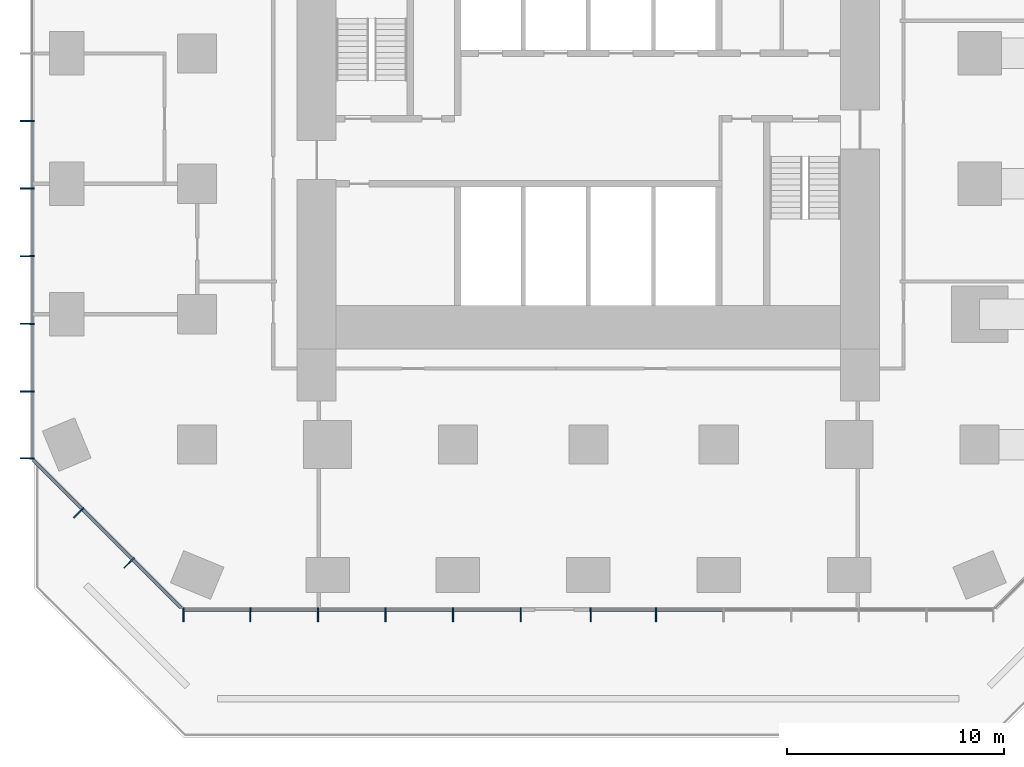
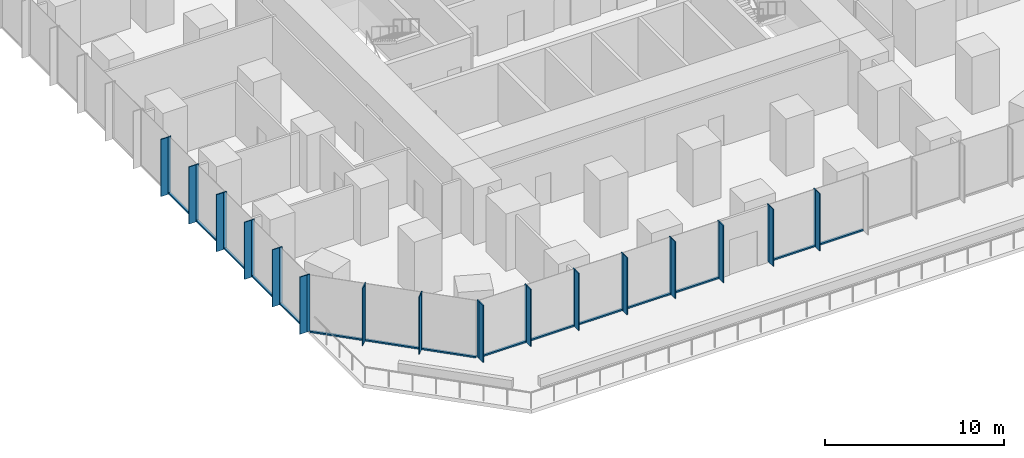
# One storey, part 2 of 12: 47 members, 4 elements without a shape of their own.
"""IFC4 building model written with IfcOpenShell, lengths in metres."""

from ifc_helpers import new_model, si_unit, direction, frame, origin, origin_2d, place, context, subcontext, project, spatial, rectangle, extrude, material, layer, layer_set, material_profile, profile_set, type_object, element, aggregate, save


model = new_model("IFC4")

# Units and contexts
model_context = context("Model", 3, precision=1e-05, world=origin(), true_north=direction((0.0, 1.0)))
body_context = subcontext(model_context, "Body", "Model", "MODEL_VIEW")
ifc_project = project(units=[si_unit("LENGTHUNIT", "METRE"), si_unit("AREAUNIT", "SQUARE_METRE"), si_unit("VOLUMEUNIT", "CUBIC_METRE"), si_unit("PLANEANGLEUNIT", "RADIAN"), si_unit("MASSUNIT", "GRAM", prefix="KILO")], contexts=[model_context])

# Site, building, storey
site_placement = place(None, origin())
site = spatial("IfcSite", under=ifc_project, at=site_placement, CompositionType="ELEMENT")
building_placement = place(site_placement, origin())
building = spatial("IfcBuilding", under=site, at=building_placement, Name="Highveld Stack Headquarters", CompositionType="ELEMENT")
storey_placement = place(building_placement, frame((0.0, 0.0, 65.0)))
storey = spatial("IfcBuildingStorey", under=building, at=storey_placement, Name="L15", CompositionType="ELEMENT", Elevation=65.0)

# Curtain wall, members
ifc_material_1 = material(Name="Aluminium bronze anodised", Category="aluminium")
ifc_layer_1 = layer(ifc_material_1, 0.199951171875)
ifc_layer_set_1 = layer_set([ifc_layer_1], Name="Aluminium bronze anodised")
curtain_wall_type_1 = type_object("IfcCurtainWallType", Name="CW1 TOWER UNITISED CURTAIN WALL", PredefinedType="NOTDEFINED", material=ifc_layer_set_1)
curtain_wall_1_placement = place(storey_placement, origin())
curtain_wall_1 = element("IfcCurtainWall", 1, at=curtain_wall_1_placement, inside=storey, type_object=curtain_wall_type_1, Name="Curtain wall CW1 L15 S-1", PredefinedType="NOTDEFINED")
ifc_material_2 = material(Name="Aluminium bronze anodised", Category="aluminium")
ifc_material_profile_1 = material_profile(ifc_material_2, rectangle(XDim=0.449951171875, YDim=0.06005859375, at=origin_2d()), Name="FIN 450x60")
ifc_profile_set_1 = profile_set([ifc_material_profile_1], Name="Aluminium bronze anodised")
member_type_1 = type_object("IfcMemberType", Name="CW1 BRONZE FIN 450x60", PredefinedType="USERDEFINED", material=ifc_profile_set_1)
member_1_placement = place(storey_placement, frame((-12.630126953125, -19.925048828125, 0.0), z_axis=(0.0, 0.0, 1.0), x_axis=(0.0, 1.0, 0.0)))
member_1 = element("IfcMember", 2, at=member_1_placement, type_object=member_type_1, Name="CW1 fin L15 1", ObjectType="FIN", PredefinedType="USERDEFINED", context=body_context, shape_type="SweptSolid", body=[
    extrude(rectangle(XDim=0.449951171875, YDim=0.06005859375, at=origin_2d()), origin(), (0.0, 0.0, 1.0), 3.89990234375),
])
member_2_placement = place(storey_placement, frame((-9.55224609375, -19.925048828125, 0.0), z_axis=(0.0, 0.0, 1.0), x_axis=(0.0, 1.0, 0.0)))
member_2 = element("IfcMember", 3, at=member_2_placement, type_object=member_type_1, Name="CW1 fin L15 2", ObjectType="FIN", PredefinedType="USERDEFINED", context=body_context, shape_type="SweptSolid", body=[
    extrude(rectangle(XDim=0.449951171875, YDim=0.06005859375, at=origin_2d()), origin(), (0.0, 0.0, 1.0), 3.89990234375),
])
member_3_placement = place(storey_placement, frame((-6.44189453125, -19.925048828125, 0.0), z_axis=(0.0, 0.0, 1.0), x_axis=(0.0, 1.0, 0.0)))
member_3 = element("IfcMember", 4, at=member_3_placement, type_object=member_type_1, Name="CW1 fin L15 3", ObjectType="FIN", PredefinedType="USERDEFINED", context=body_context, shape_type="SweptSolid", body=[
    extrude(rectangle(XDim=0.449951171875, YDim=0.06005859375, at=origin_2d()), origin(), (0.0, 0.0, 1.0), 3.89990234375),
])
member_4_placement = place(storey_placement, frame((-3.331298828125, -19.925048828125, 0.0), z_axis=(0.0, 0.0, 1.0), x_axis=(0.0, 1.0, 0.0)))
member_4 = element("IfcMember", 5, at=member_4_placement, type_object=member_type_1, Name="CW1 fin L15 4", ObjectType="FIN", PredefinedType="USERDEFINED", context=body_context, shape_type="SweptSolid", body=[
    extrude(rectangle(XDim=0.449951171875, YDim=0.06005859375, at=origin_2d()), origin(), (0.0, 0.0, 1.0), 3.89990234375),
])
member_5_placement = place(storey_placement, frame((-0.220947265625, -19.925048828125, 0.0), z_axis=(0.0, 0.0, 1.0), x_axis=(0.0, 1.0, 0.0)))
member_5 = element("IfcMember", 6, at=member_5_placement, type_object=member_type_1, Name="CW1 fin L15 5", ObjectType="FIN", PredefinedType="USERDEFINED", context=body_context, shape_type="SweptSolid", body=[
    extrude(rectangle(XDim=0.449951171875, YDim=0.06005859375, at=origin_2d()), origin(), (0.0, 0.0, 1.0), 3.89990234375),
])
member_6_placement = place(storey_placement, frame((2.8896484375, -19.925048828125, 0.0), z_axis=(0.0, 0.0, 1.0), x_axis=(0.0, 1.0, 0.0)))
member_6 = element("IfcMember", 7, at=member_6_placement, type_object=member_type_1, Name="CW1 fin L15 6", ObjectType="FIN", PredefinedType="USERDEFINED", context=body_context, shape_type="SweptSolid", body=[
    extrude(rectangle(XDim=0.449951171875, YDim=0.06005859375, at=origin_2d()), origin(), (0.0, 0.0, 1.0), 3.89990234375),
])

curtain_wall_2_placement = place(storey_placement, origin())
curtain_wall_2 = element("IfcCurtainWall", 8, at=curtain_wall_2_placement, inside=storey, type_object=curtain_wall_type_1, Name="Curtain wall CW1 L15 S-2", PredefinedType="NOTDEFINED")
member_7_placement = place(storey_placement, frame((6.107421875, -19.925048828125, 0.0), z_axis=(0.0, 0.0, 1.0), x_axis=(0.0, 1.0, 0.0)))
member_7 = element("IfcMember", 9, at=member_7_placement, type_object=member_type_1, Name="CW1 fin L15 1", ObjectType="FIN", PredefinedType="USERDEFINED", context=body_context, shape_type="SweptSolid", body=[
    extrude(rectangle(XDim=0.449951171875, YDim=0.06005859375, at=origin_2d()), origin(), (0.0, 0.0, 1.0), 3.89990234375),
])
member_8_placement = place(storey_placement, frame((9.110595703125, -19.925048828125, 0.0), z_axis=(0.0, 0.0, 1.0), x_axis=(0.0, 1.0, 0.0)))
member_8 = element("IfcMember", 10, at=member_8_placement, type_object=member_type_1, Name="CW1 fin L15 2", ObjectType="FIN", PredefinedType="USERDEFINED", context=body_context, shape_type="SweptSolid", body=[
    extrude(rectangle(XDim=0.449951171875, YDim=0.06005859375, at=origin_2d()), origin(), (0.0, 0.0, 1.0), 3.89990234375),
])

curtain_wall_3_placement = place(storey_placement, origin())
curtain_wall_3 = element("IfcCurtainWall", 11, at=curtain_wall_3_placement, inside=storey, type_object=curtain_wall_type_1, Name="Curtain wall CW1 L15 W", PredefinedType="NOTDEFINED")
member_9_placement = place(storey_placement, frame((-19.925048828125, 2.889404296875, 0.0), z_axis=(0.0, 0.0, 1.0), x_axis=(1.0, 0.0, 0.0)))
member_9 = element("IfcMember", 12, at=member_9_placement, type_object=member_type_1, Name="CW1 fin L15 8", ObjectType="FIN", PredefinedType="USERDEFINED", context=body_context, shape_type="SweptSolid", body=[
    extrude(rectangle(XDim=0.449951171875, YDim=0.06005859375, at=origin_2d()), origin(), (0.0, 0.0, 1.0), 3.89990234375),
])
member_10_placement = place(storey_placement, frame((-19.925048828125, -0.220947265625, 0.0), z_axis=(0.0, 0.0, 1.0), x_axis=(1.0, 0.0, 0.0)))
member_10 = element("IfcMember", 13, at=member_10_placement, type_object=member_type_1, Name="CW1 fin L15 9", ObjectType="FIN", PredefinedType="USERDEFINED", context=body_context, shape_type="SweptSolid", body=[
    extrude(rectangle(XDim=0.449951171875, YDim=0.06005859375, at=origin_2d()), origin(), (0.0, 0.0, 1.0), 3.89990234375),
])
member_11_placement = place(storey_placement, frame((-19.925048828125, -3.331298828125, 0.0), z_axis=(0.0, 0.0, 1.0), x_axis=(1.0, 0.0, 0.0)))
member_11 = element("IfcMember", 14, at=member_11_placement, type_object=member_type_1, Name="CW1 fin L15 10", ObjectType="FIN", PredefinedType="USERDEFINED", context=body_context, shape_type="SweptSolid", body=[
    extrude(rectangle(XDim=0.449951171875, YDim=0.06005859375, at=origin_2d()), origin(), (0.0, 0.0, 1.0), 3.89990234375),
])
member_12_placement = place(storey_placement, frame((-19.925048828125, -6.44189453125, 0.0), z_axis=(0.0, 0.0, 1.0), x_axis=(1.0, 0.0, 0.0)))
member_12 = element("IfcMember", 15, at=member_12_placement, type_object=member_type_1, Name="CW1 fin L15 11", ObjectType="FIN", PredefinedType="USERDEFINED", context=body_context, shape_type="SweptSolid", body=[
    extrude(rectangle(XDim=0.449951171875, YDim=0.06005859375, at=origin_2d()), origin(), (0.0, 0.0, 1.0), 3.89990234375),
])
member_13_placement = place(storey_placement, frame((-19.925048828125, -9.55224609375, 0.0), z_axis=(0.0, 0.0, 1.0), x_axis=(1.0, 0.0, 0.0)))
member_13 = element("IfcMember", 16, at=member_13_placement, type_object=member_type_1, Name="CW1 fin L15 12", ObjectType="FIN", PredefinedType="USERDEFINED", context=body_context, shape_type="SweptSolid", body=[
    extrude(rectangle(XDim=0.449951171875, YDim=0.06005859375, at=origin_2d()), origin(), (0.0, 0.0, 1.0), 3.89990234375),
])
member_14_placement = place(storey_placement, frame((-19.925048828125, -12.630126953125, 0.0), z_axis=(0.0, 0.0, 1.0), x_axis=(1.0, 0.0, 0.0)))
member_14 = element("IfcMember", 17, at=member_14_placement, type_object=member_type_1, Name="CW1 fin L15 13", ObjectType="FIN", PredefinedType="USERDEFINED", context=body_context, shape_type="SweptSolid", body=[
    extrude(rectangle(XDim=0.449951171875, YDim=0.06005859375, at=origin_2d()), origin(), (0.0, 0.0, 1.0), 3.89990234375),
])

# Member
ifc_material_3 = material(Name="Aluminium bronze anodised", Category="aluminium")
ifc_material_profile_2 = material_profile(ifc_material_3, rectangle(XDim=0.199951171875, YDim=0.06494140625, at=origin_2d()), Name="CW1 MULLION 65x200")
ifc_profile_set_2 = profile_set([ifc_material_profile_2], Name="Aluminium bronze anodised")
member_type_2 = type_object("IfcMemberType", Name="CW1 MULLION 65x200", PredefinedType="MULLION", material=ifc_profile_set_2)
member_15_placement = place(storey_placement, frame((-12.630126953125, -19.60009765625, 0.0), z_axis=(0.0, 0.0, 1.0), x_axis=(0.0, 1.0, 0.0)))
member_15 = element("IfcMember", 18, at=member_15_placement, type_object=member_type_2, Name="CW1 mullion L15 1", PredefinedType="MULLION", context=body_context, shape_type="SweptSolid", body=[
    extrude(rectangle(XDim=0.199951171875, YDim=0.06494140625, at=origin_2d()), origin(), (0.0, 0.0, 1.0), 3.89990234375),
])

member_16_placement = place(storey_placement, frame((-9.55224609375, -19.60009765625, 0.0), z_axis=(0.0, 0.0, 1.0), x_axis=(0.0, 1.0, 0.0)))
member_16 = element("IfcMember", 19, at=member_16_placement, type_object=member_type_2, Name="CW1 mullion L15 2", PredefinedType="MULLION", context=body_context, shape_type="SweptSolid", body=[
    extrude(rectangle(XDim=0.199951171875, YDim=0.06494140625, at=origin_2d()), origin(), (0.0, 0.0, 1.0), 3.89990234375),
])

member_17_placement = place(storey_placement, frame((-6.44189453125, -19.60009765625, 0.0), z_axis=(0.0, 0.0, 1.0), x_axis=(0.0, 1.0, 0.0)))
member_17 = element("IfcMember", 20, at=member_17_placement, type_object=member_type_2, Name="CW1 mullion L15 3", PredefinedType="MULLION", context=body_context, shape_type="SweptSolid", body=[
    extrude(rectangle(XDim=0.199951171875, YDim=0.06494140625, at=origin_2d()), origin(), (0.0, 0.0, 1.0), 3.89990234375),
])

member_18_placement = place(storey_placement, frame((-3.331298828125, -19.60009765625, 0.0), z_axis=(0.0, 0.0, 1.0), x_axis=(0.0, 1.0, 0.0)))
member_18 = element("IfcMember", 21, at=member_18_placement, type_object=member_type_2, Name="CW1 mullion L15 4", PredefinedType="MULLION", context=body_context, shape_type="SweptSolid", body=[
    extrude(rectangle(XDim=0.199951171875, YDim=0.06494140625, at=origin_2d()), origin(), (0.0, 0.0, 1.0), 3.89990234375),
])

member_19_placement = place(storey_placement, frame((-0.220947265625, -19.60009765625, 0.0), z_axis=(0.0, 0.0, 1.0), x_axis=(0.0, 1.0, 0.0)))
member_19 = element("IfcMember", 22, at=member_19_placement, type_object=member_type_2, Name="CW1 mullion L15 5", PredefinedType="MULLION", context=body_context, shape_type="SweptSolid", body=[
    extrude(rectangle(XDim=0.199951171875, YDim=0.06494140625, at=origin_2d()), origin(), (0.0, 0.0, 1.0), 3.89990234375),
])

member_20_placement = place(storey_placement, frame((2.8896484375, -19.60009765625, 0.0), z_axis=(0.0, 0.0, 1.0), x_axis=(0.0, 1.0, 0.0)))
member_20 = element("IfcMember", 23, at=member_20_placement, type_object=member_type_2, Name="CW1 mullion L15 6", PredefinedType="MULLION", context=body_context, shape_type="SweptSolid", body=[
    extrude(rectangle(XDim=0.199951171875, YDim=0.06494140625, at=origin_2d()), origin(), (0.0, 0.0, 1.0), 3.89990234375),
])

member_21_placement = place(storey_placement, frame((6.107421875, -19.60009765625, 0.0), z_axis=(0.0, 0.0, 1.0), x_axis=(0.0, 1.0, 0.0)))
member_21 = element("IfcMember", 24, at=member_21_placement, type_object=member_type_2, Name="CW1 mullion L15 1", PredefinedType="MULLION", context=body_context, shape_type="SweptSolid", body=[
    extrude(rectangle(XDim=0.199951171875, YDim=0.06494140625, at=origin_2d()), origin(), (0.0, 0.0, 1.0), 3.89990234375),
])

member_22_placement = place(storey_placement, frame((9.110595703125, -19.60009765625, 0.0), z_axis=(0.0, 0.0, 1.0), x_axis=(0.0, 1.0, 0.0)))
member_22 = element("IfcMember", 25, at=member_22_placement, type_object=member_type_2, Name="CW1 mullion L15 2", PredefinedType="MULLION", context=body_context, shape_type="SweptSolid", body=[
    extrude(rectangle(XDim=0.199951171875, YDim=0.06494140625, at=origin_2d()), origin(), (0.0, 0.0, 1.0), 3.89990234375),
])

member_23_placement = place(storey_placement, frame((-19.60009765625, 2.889404296875, 0.0), z_axis=(0.0, 0.0, 1.0), x_axis=(1.0, 0.0, 0.0)))
member_23 = element("IfcMember", 26, at=member_23_placement, type_object=member_type_2, Name="CW1 mullion L15 8", PredefinedType="MULLION", context=body_context, shape_type="SweptSolid", body=[
    extrude(rectangle(XDim=0.199951171875, YDim=0.06494140625, at=origin_2d()), origin(), (0.0, 0.0, 1.0), 3.89990234375),
])

member_24_placement = place(storey_placement, frame((-19.60009765625, -0.220947265625, 0.0), z_axis=(0.0, 0.0, 1.0), x_axis=(1.0, 0.0, 0.0)))
member_24 = element("IfcMember", 27, at=member_24_placement, type_object=member_type_2, Name="CW1 mullion L15 9", PredefinedType="MULLION", context=body_context, shape_type="SweptSolid", body=[
    extrude(rectangle(XDim=0.199951171875, YDim=0.06494140625, at=origin_2d()), origin(), (0.0, 0.0, 1.0), 3.89990234375),
])

member_25_placement = place(storey_placement, frame((-19.60009765625, -3.331298828125, 0.0), z_axis=(0.0, 0.0, 1.0), x_axis=(1.0, 0.0, 0.0)))
member_25 = element("IfcMember", 28, at=member_25_placement, type_object=member_type_2, Name="CW1 mullion L15 10", PredefinedType="MULLION", context=body_context, shape_type="SweptSolid", body=[
    extrude(rectangle(XDim=0.199951171875, YDim=0.06494140625, at=origin_2d()), origin(), (0.0, 0.0, 1.0), 3.89990234375),
])

member_26_placement = place(storey_placement, frame((-19.60009765625, -6.44189453125, 0.0), z_axis=(0.0, 0.0, 1.0), x_axis=(1.0, 0.0, 0.0)))
member_26 = element("IfcMember", 29, at=member_26_placement, type_object=member_type_2, Name="CW1 mullion L15 11", PredefinedType="MULLION", context=body_context, shape_type="SweptSolid", body=[
    extrude(rectangle(XDim=0.199951171875, YDim=0.06494140625, at=origin_2d()), origin(), (0.0, 0.0, 1.0), 3.89990234375),
])

member_27_placement = place(storey_placement, frame((-19.60009765625, -9.55224609375, 0.0), z_axis=(0.0, 0.0, 1.0), x_axis=(1.0, 0.0, 0.0)))
member_27 = element("IfcMember", 30, at=member_27_placement, type_object=member_type_2, Name="CW1 mullion L15 12", PredefinedType="MULLION", context=body_context, shape_type="SweptSolid", body=[
    extrude(rectangle(XDim=0.199951171875, YDim=0.06494140625, at=origin_2d()), origin(), (0.0, 0.0, 1.0), 3.89990234375),
])

member_28_placement = place(storey_placement, frame((-19.60009765625, -12.630126953125, 0.0), z_axis=(0.0, 0.0, 1.0), x_axis=(1.0, 0.0, 0.0)))
member_28 = element("IfcMember", 31, at=member_28_placement, type_object=member_type_2, Name="CW1 mullion L15 13", PredefinedType="MULLION", context=body_context, shape_type="SweptSolid", body=[
    extrude(rectangle(XDim=0.199951171875, YDim=0.06494140625, at=origin_2d()), origin(), (0.0, 0.0, 1.0), 3.89990234375),
])

ifc_material_4 = material(Name="Aluminium bronze anodised", Category="aluminium")
ifc_material_profile_3 = material_profile(ifc_material_4, rectangle(XDim=0.14990234375, YDim=0.10009765625, at=origin_2d()), Name="CW1 TRANSOM 150x100")
ifc_profile_set_3 = profile_set([ifc_material_profile_3], Name="Aluminium bronze anodised")
member_type_3 = type_object("IfcMemberType", Name="CW1 STACK TRANSOM 150x100", PredefinedType="USERDEFINED", material=ifc_profile_set_3)
member_29_placement = place(storey_placement, frame((-12.59765625, -19.60009765625, 0.050048828125), z_axis=(1.0, 0.0, 0.0), x_axis=(0.0, 1.0, 0.0)))
member_29 = element("IfcMember", 32, at=member_29_placement, type_object=member_type_3, Name="CW1 transom L15 1.1", ObjectType="TRANSOM", PredefinedType="USERDEFINED", context=body_context, shape_type="SweptSolid", body=[
    extrude(rectangle(XDim=0.14990234375, YDim=0.10009765625, at=origin_2d()), origin(), (0.0, 0.0, 1.0), 3.012939453125),
])

member_30_placement = place(storey_placement, frame((-9.519775390625, -19.60009765625, 0.050048828125), z_axis=(1.0, 0.0, 0.0), x_axis=(0.0, 1.0, 0.0)))
member_30 = element("IfcMember", 33, at=member_30_placement, type_object=member_type_3, Name="CW1 transom L15 2.1", ObjectType="TRANSOM", PredefinedType="USERDEFINED", context=body_context, shape_type="SweptSolid", body=[
    extrude(rectangle(XDim=0.14990234375, YDim=0.10009765625, at=origin_2d()), origin(), (0.0, 0.0, 1.0), 3.04541015625),
])

member_31_placement = place(storey_placement, frame((-6.4091796875, -19.60009765625, 0.050048828125), z_axis=(1.0, 0.0, 0.0), x_axis=(0.0, 1.0, 0.0)))
member_31 = element("IfcMember", 34, at=member_31_placement, type_object=member_type_3, Name="CW1 transom L15 3.1", ObjectType="TRANSOM", PredefinedType="USERDEFINED", context=body_context, shape_type="SweptSolid", body=[
    extrude(rectangle(XDim=0.14990234375, YDim=0.10009765625, at=origin_2d()), origin(), (0.0, 0.0, 1.0), 3.04541015625),
])

member_32_placement = place(storey_placement, frame((-3.298828125, -19.60009765625, 0.050048828125), z_axis=(1.0, 0.0, 0.0), x_axis=(0.0, 1.0, 0.0)))
member_32 = element("IfcMember", 35, at=member_32_placement, type_object=member_type_3, Name="CW1 transom L15 4.1", ObjectType="TRANSOM", PredefinedType="USERDEFINED", context=body_context, shape_type="SweptSolid", body=[
    extrude(rectangle(XDim=0.14990234375, YDim=0.10009765625, at=origin_2d()), origin(), (0.0, 0.0, 1.0), 3.04541015625),
])

member_33_placement = place(storey_placement, frame((-0.1884765625, -19.60009765625, 0.050048828125), z_axis=(1.0, 0.0, 0.0), x_axis=(0.0, 1.0, 0.0)))
member_33 = element("IfcMember", 36, at=member_33_placement, type_object=member_type_3, Name="CW1 transom L15 5.1", ObjectType="TRANSOM", PredefinedType="USERDEFINED", context=body_context, shape_type="SweptSolid", body=[
    extrude(rectangle(XDim=0.14990234375, YDim=0.10009765625, at=origin_2d()), origin(), (0.0, 0.0, 1.0), 3.045654296875),
])

aggregate(curtain_wall_1, [member_15, member_1, member_16, member_2, member_17, member_3, member_18, member_4, member_19, member_5, member_20, member_6, member_29, member_30, member_31, member_32, member_33])

member_34_placement = place(storey_placement, frame((6.139892578125, -19.60009765625, 0.050048828125), z_axis=(1.0, 0.0, 0.0), x_axis=(0.0, 1.0, 0.0)))
member_34 = element("IfcMember", 37, at=member_34_placement, type_object=member_type_3, Name="CW1 transom L15 7.1", ObjectType="TRANSOM", PredefinedType="USERDEFINED", context=body_context, shape_type="SweptSolid", body=[
    extrude(rectangle(XDim=0.14990234375, YDim=0.10009765625, at=origin_2d()), origin(), (0.0, 0.0, 1.0), 2.93798828125),
])

member_35_placement = place(storey_placement, frame((9.14306640625, -19.60009765625, 0.050048828125), z_axis=(1.0, 0.0, 0.0), x_axis=(0.0, 1.0, 0.0)))
member_35 = element("IfcMember", 38, at=member_35_placement, type_object=member_type_3, Name="CW1 transom L15 8.1", ObjectType="TRANSOM", PredefinedType="USERDEFINED", context=body_context, shape_type="SweptSolid", body=[
    extrude(rectangle(XDim=0.14990234375, YDim=0.10009765625, at=origin_2d()), origin(), (0.0, 0.0, 1.0), 3.04541015625),
])

aggregate(curtain_wall_2, [member_21, member_7, member_22, member_8, member_34, member_35])

member_36_placement = place(storey_placement, frame((-19.60009765625, 2.857177734375, 0.050048828125), z_axis=(0.0, -1.0, 0.0), x_axis=(1.0, 0.0, 0.0)))
member_36 = element("IfcMember", 39, at=member_36_placement, type_object=member_type_3, Name="CW1 transom L15 8.1", ObjectType="TRANSOM", PredefinedType="USERDEFINED", context=body_context, shape_type="SweptSolid", body=[
    extrude(rectangle(XDim=0.14990234375, YDim=0.10009765625, at=origin_2d()), origin(), (0.0, 0.0, 1.0), 3.045654296875),
])

member_37_placement = place(storey_placement, frame((-19.60009765625, -0.25341796875, 0.050048828125), z_axis=(0.0, -1.0, 0.0), x_axis=(1.0, 0.0, 0.0)))
member_37 = element("IfcMember", 40, at=member_37_placement, type_object=member_type_3, Name="CW1 transom L15 9.1", ObjectType="TRANSOM", PredefinedType="USERDEFINED", context=body_context, shape_type="SweptSolid", body=[
    extrude(rectangle(XDim=0.14990234375, YDim=0.10009765625, at=origin_2d()), origin(), (0.0, 0.0, 1.0), 3.04541015625),
])

member_38_placement = place(storey_placement, frame((-19.60009765625, -3.36376953125, 0.050048828125), z_axis=(0.0, -1.0, 0.0), x_axis=(1.0, 0.0, 0.0)))
member_38 = element("IfcMember", 41, at=member_38_placement, type_object=member_type_3, Name="CW1 transom L15 10.1", ObjectType="TRANSOM", PredefinedType="USERDEFINED", context=body_context, shape_type="SweptSolid", body=[
    extrude(rectangle(XDim=0.14990234375, YDim=0.10009765625, at=origin_2d()), origin(), (0.0, 0.0, 1.0), 3.04541015625),
])

member_39_placement = place(storey_placement, frame((-19.60009765625, -6.474365234375, 0.050048828125), z_axis=(0.0, -1.0, 0.0), x_axis=(1.0, 0.0, 0.0)))
member_39 = element("IfcMember", 42, at=member_39_placement, type_object=member_type_3, Name="CW1 transom L15 11.1", ObjectType="TRANSOM", PredefinedType="USERDEFINED", context=body_context, shape_type="SweptSolid", body=[
    extrude(rectangle(XDim=0.14990234375, YDim=0.10009765625, at=origin_2d()), origin(), (0.0, 0.0, 1.0), 3.04541015625),
])

member_40_placement = place(storey_placement, frame((-19.60009765625, -9.584716796875, 0.050048828125), z_axis=(0.0, -1.0, 0.0), x_axis=(1.0, 0.0, 0.0)))
member_40 = element("IfcMember", 43, at=member_40_placement, type_object=member_type_3, Name="CW1 transom L15 12.1", ObjectType="TRANSOM", PredefinedType="USERDEFINED", context=body_context, shape_type="SweptSolid", body=[
    extrude(rectangle(XDim=0.14990234375, YDim=0.10009765625, at=origin_2d()), origin(), (0.0, 0.0, 1.0), 3.012939453125),
])

aggregate(curtain_wall_3, [member_23, member_9, member_24, member_10, member_25, member_11, member_26, member_12, member_27, member_13, member_28, member_14, member_36, member_37, member_38, member_39, member_40])

# Curtain wall, members
ifc_material_5 = material(Name="Aluminium bronze anodised", Category="aluminium")
ifc_layer_2 = layer(ifc_material_5, 0.199951171875)
ifc_layer_set_2 = layer_set([ifc_layer_2], Name="Aluminium bronze anodised")
curtain_wall_type_2 = type_object("IfcCurtainWallType", Name="CW2 TOWER CHAMFER UNITISED CURTAIN WALL", PredefinedType="NOTDEFINED", material=ifc_layer_set_2)
curtain_wall_4_placement = place(storey_placement, origin())
curtain_wall_4 = element("IfcCurtainWall", 44, at=curtain_wall_4_placement, inside=storey, type_object=curtain_wall_type_2, Name="Curtain wall CW2 L15 SW", PredefinedType="NOTDEFINED")
ifc_material_6 = material(Name="Aluminium bronze anodised", Category="aluminium")
ifc_material_profile_4 = material_profile(ifc_material_6, rectangle(XDim=0.449951171875, YDim=0.06005859375, at=origin_2d()), Name="FIN 450x60")
ifc_profile_set_4 = profile_set([ifc_material_profile_4], Name="Aluminium bronze anodised")
member_type_4 = type_object("IfcMemberType", Name="CW2 BRONZE FIN 450x60", PredefinedType="USERDEFINED", material=ifc_profile_set_4)
member_41_placement = place(storey_placement, frame((-17.517333984375, -15.204833984375, 0.0), z_axis=(0.0, 0.0, 1.0), x_axis=(0.707106781187, 0.707106781187, 0.0)))
member_41 = element("IfcMember", 45, at=member_41_placement, type_object=member_type_4, Name="CW2 fin L15 1", ObjectType="FIN", PredefinedType="USERDEFINED", context=body_context, shape_type="SweptSolid", body=[
    extrude(rectangle(XDim=0.449951171875, YDim=0.06005859375, at=origin_2d()), origin(), (0.0, 0.0, 1.0), 3.89990234375),
])
member_42_placement = place(storey_placement, frame((-15.204833984375, -17.517333984375, 0.0), z_axis=(0.0, 0.0, 1.0), x_axis=(0.707106781187, 0.707106781187, 0.0)))
member_42 = element("IfcMember", 46, at=member_42_placement, type_object=member_type_4, Name="CW2 fin L15 2", ObjectType="FIN", PredefinedType="USERDEFINED", context=body_context, shape_type="SweptSolid", body=[
    extrude(rectangle(XDim=0.449951171875, YDim=0.06005859375, at=origin_2d()), origin(), (0.0, 0.0, 1.0), 3.89990234375),
])
ifc_material_7 = material(Name="Aluminium bronze anodised", Category="aluminium")
ifc_material_profile_5 = material_profile(ifc_material_7, rectangle(XDim=0.199951171875, YDim=0.06494140625, at=origin_2d()), Name="CW2 MULLION 65x200")
ifc_profile_set_5 = profile_set([ifc_material_profile_5], Name="Aluminium bronze anodised")
member_type_5 = type_object("IfcMemberType", Name="CW2 MULLION 65x200", PredefinedType="MULLION", material=ifc_profile_set_5)
member_43_placement = place(storey_placement, frame((-17.28759765625, -14.97509765625, 0.0), z_axis=(0.0, 0.0, 1.0), x_axis=(0.707106781187, 0.707106781187, 0.0)))
member_43 = element("IfcMember", 47, at=member_43_placement, type_object=member_type_5, Name="CW2 mullion L15 1", PredefinedType="MULLION", context=body_context, shape_type="SweptSolid", body=[
    extrude(rectangle(XDim=0.199951171875, YDim=0.06494140625, at=origin_2d()), origin(), (0.0, 0.0, 1.0), 3.89990234375),
])
member_44_placement = place(storey_placement, frame((-14.97509765625, -17.28759765625, 0.0), z_axis=(0.0, 0.0, 1.0), x_axis=(0.707106781187, 0.707106781187, 0.0)))
member_44 = element("IfcMember", 48, at=member_44_placement, type_object=member_type_5, Name="CW2 mullion L15 2", PredefinedType="MULLION", context=body_context, shape_type="SweptSolid", body=[
    extrude(rectangle(XDim=0.199951171875, YDim=0.06494140625, at=origin_2d()), origin(), (0.0, 0.0, 1.0), 3.89990234375),
])
ifc_material_8 = material(Name="Aluminium bronze anodised", Category="aluminium")
ifc_material_profile_6 = material_profile(ifc_material_8, rectangle(XDim=0.14990234375, YDim=0.10009765625, at=origin_2d()), Name="CW2 TRANSOM 150x100")
ifc_profile_set_6 = profile_set([ifc_material_profile_6], Name="Aluminium bronze anodised")
member_type_6 = type_object("IfcMemberType", Name="CW2 STACK TRANSOM 150x100", PredefinedType="USERDEFINED", material=ifc_profile_set_6)
member_45_placement = place(storey_placement, frame((-19.529296875, -12.7333984375, 0.050048828125), z_axis=(0.707106781187, -0.707106781187, 0.0), x_axis=(0.707106781187, 0.707106781187, 0.0)))
member_45 = element("IfcMember", 49, at=member_45_placement, type_object=member_type_6, Name="CW2 transom L15 1.1", ObjectType="TRANSOM", PredefinedType="USERDEFINED", context=body_context, shape_type="SweptSolid", body=[
    extrude(rectangle(XDim=0.14990234375, YDim=0.10009765625, at=origin_2d()), origin(), (0.0, 0.0, 1.0), 3.1376953125),
])
member_46_placement = place(storey_placement, frame((-17.2646484375, -14.998046875, 0.050048828125), z_axis=(0.707106781187, -0.707106781187, 0.0), x_axis=(0.707106781187, 0.707106781187, 0.0)))
member_46 = element("IfcMember", 50, at=member_46_placement, type_object=member_type_6, Name="CW2 transom L15 2.1", ObjectType="TRANSOM", PredefinedType="USERDEFINED", context=body_context, shape_type="SweptSolid", body=[
    extrude(rectangle(XDim=0.14990234375, YDim=0.10009765625, at=origin_2d()), origin(), (0.0, 0.0, 1.0), 3.20556640625),
])
member_47_placement = place(storey_placement, frame((-14.9521484375, -17.310546875, 0.050048828125), z_axis=(0.707106781187, -0.707106781187, 0.0), x_axis=(0.707106781187, 0.707106781187, 0.0)))
member_47 = element("IfcMember", 51, at=member_47_placement, type_object=member_type_6, Name="CW2 transom L15 3.1", ObjectType="TRANSOM", PredefinedType="USERDEFINED", context=body_context, shape_type="SweptSolid", body=[
    extrude(rectangle(XDim=0.14990234375, YDim=0.10009765625, at=origin_2d()), origin(), (0.0, 0.0, 1.0), 3.1376953125),
])
aggregate(curtain_wall_4, [member_43, member_41, member_44, member_42, member_45, member_46, member_47])

save(model, "model.ifc")
